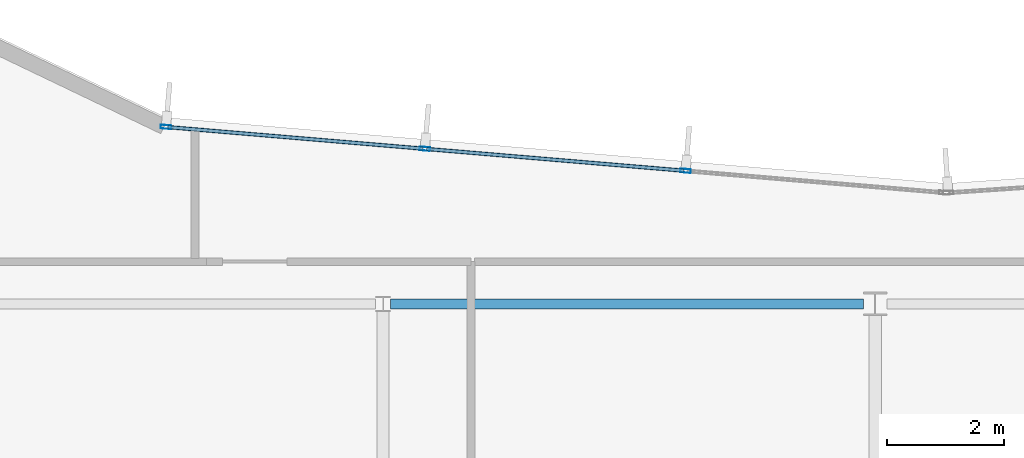
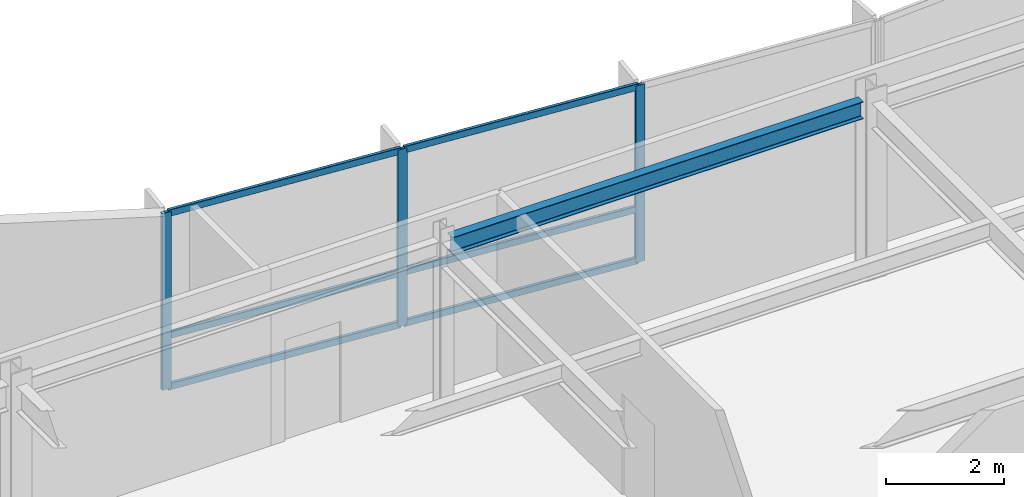
# One storey, part 5 of 15: 9 members, 1 beam, 1 element without a shape of its own.
"""IFC4 building model written with IfcOpenShell, lengths in metres."""

from ifc_helpers import new_model, si_unit, direction, frame, origin, origin_2d, place, context, subcontext, project, spatial, hollow_rectangle, i_section, extrude, material, layer, layer_set, material_profile, profile_set, type_object, element, aggregate, save


model = new_model("IFC4")

# Units and contexts
model_context = context("Model", 3, precision=1e-05, world=origin(), true_north=direction((0.0, 1.0)))
body_context = subcontext(model_context, "Body", "Model", "MODEL_VIEW")
ifc_project = project(units=[si_unit("LENGTHUNIT", "METRE"), si_unit("AREAUNIT", "SQUARE_METRE"), si_unit("VOLUMEUNIT", "CUBIC_METRE"), si_unit("PLANEANGLEUNIT", "RADIAN"), si_unit("MASSUNIT", "GRAM", prefix="KILO")], contexts=[model_context])

# Site, building, storey
site_placement = place(None, origin())
site = spatial("IfcSite", under=ifc_project, at=site_placement, CompositionType="ELEMENT")
building_placement = place(site_placement, origin())
building = spatial("IfcBuilding", under=site, at=building_placement, Name="Varnakote Quay Hospital", CompositionType="ELEMENT")
storey_placement = place(building_placement, frame((0.0, 0.0, 231.60009765625)))
storey = spatial("IfcBuildingStorey", under=building, at=storey_placement, Name="L57", CompositionType="ELEMENT", Elevation=231.60009765625)

# Curtain wall, members
ifc_material_1 = material(Name="Anodised aluminium 6063-T6 Bronze", Category="aluminium")
ifc_layer = layer(ifc_material_1, 0.219970703125)
ifc_layer_set = layer_set([ifc_layer], Name="Anodised aluminium 6063-T6 Bronze")
curtain_wall_type = type_object("IfcCurtainWallType", Name="CW-SYS-4", PredefinedType="NOTDEFINED", material=ifc_layer_set)
curtain_wall_placement = place(storey_placement, origin())
curtain_wall = element("IfcCurtainWall", 1, at=curtain_wall_placement, inside=storey, type_object=curtain_wall_type, Name="L57 Unitised Bronze Curtain Wall 2", PredefinedType="NOTDEFINED")
ifc_material_2 = material(Name="Anodised aluminium 6063-T6 Bronze", Category="aluminium")
ifc_material_profile_1 = material_profile(ifc_material_2, hollow_rectangle(XDim=0.06494140625, YDim=0.179931640625, WallThickness=0.00390625, InnerFilletRadius=0.00390625, OuterFilletRadius=0.008056640625, at=origin_2d()), Name="CW-MULL-180x65")
ifc_profile_set_1 = profile_set([ifc_material_profile_1], Name="Anodised aluminium 6063-T6 Bronze")
member_type_1 = type_object("IfcMemberType", Name="CW-MULL-180x65", PredefinedType="MULLION", material=ifc_profile_set_1)
member_1_placement = place(storey_placement, frame((30.363525390625, 31.0712890625, 0.0), z_axis=(0.0, 0.0, 1.0), x_axis=(-0.084136040089, -0.996454277304, 0.0)))
member_1 = element("IfcMember", 2, at=member_1_placement, type_object=member_type_1, Name="-4-L57-2 mullion 2", PredefinedType="MULLION", context=body_context, shape_type="SweptSolid", body=[
    extrude(hollow_rectangle(XDim=0.06494140625, YDim=0.179931640625, WallThickness=0.00390625, InnerFilletRadius=0.00390625, OuterFilletRadius=0.008056640625, at=origin_2d()), origin(), (0.0, 0.0, 1.0), 3.669921875),
])
member_2_placement = place(storey_placement, frame((25.912353515625, 31.447265625, 0.0), z_axis=(0.0, 0.0, 1.0), x_axis=(-0.084136040089, -0.996454277304, 0.0)))
member_2 = element("IfcMember", 3, at=member_2_placement, type_object=member_type_1, Name="-4-L57-2 mullion 3", PredefinedType="MULLION", context=body_context, shape_type="SweptSolid", body=[
    extrude(hollow_rectangle(XDim=0.06494140625, YDim=0.179931640625, WallThickness=0.00390625, InnerFilletRadius=0.00390625, OuterFilletRadius=0.008056640625, at=origin_2d()), origin(), (0.0, 0.0, 1.0), 3.669921875),
])
member_3_placement = place(storey_placement, frame((21.49365234375, 31.8203125, 0.0), z_axis=(0.0, 0.0, 1.0), x_axis=(-0.084136040089, -0.996454277304, 0.0)))
member_3 = element("IfcMember", 4, at=member_3_placement, type_object=member_type_1, Name="-4-L57-2 mullion 4", PredefinedType="MULLION", context=body_context, shape_type="SweptSolid", body=[
    extrude(hollow_rectangle(XDim=0.06494140625, YDim=0.179931640625, WallThickness=0.00390625, InnerFilletRadius=0.00390625, OuterFilletRadius=0.008056640625, at=origin_2d()), origin(), (0.0, 0.0, 1.0), 3.669921875),
])
ifc_material_3 = material(Name="Anodised aluminium 6063-T6 Bronze", Category="aluminium")
ifc_material_profile_2 = material_profile(ifc_material_3, hollow_rectangle(XDim=0.06494140625, YDim=0.139892578125, WallThickness=0.00390625, InnerFilletRadius=0.00390625, OuterFilletRadius=0.007568359375, at=origin_2d()), Name="CW-TRAN-140x65")
ifc_profile_set_2 = profile_set([ifc_material_profile_2], Name="Anodised aluminium 6063-T6 Bronze")
member_type_2 = type_object("IfcMemberType", Name="CW-TRAN-140x65", PredefinedType="USERDEFINED", material=ifc_profile_set_2)
member_4_placement = place(storey_placement, frame((30.331298828125, 31.073974609375, 0.032470703125), z_axis=(-0.996454515714, 0.084133216471, 0.0), x_axis=(-0.084133216471, -0.996454515714, 0.0)))
member_4 = element("IfcMember", 5, at=member_4_placement, type_object=member_type_2, Name="-4-L57-2 transom 2.1", ObjectType="TRANSOM", PredefinedType="USERDEFINED", context=body_context, shape_type="SweptSolid", body=[
    extrude(hollow_rectangle(XDim=0.06494140625, YDim=0.139892578125, WallThickness=0.00390625, InnerFilletRadius=0.00390625, OuterFilletRadius=0.007568359375, at=origin_2d()), origin(), (0.0, 0.0, 1.0), 4.402099609375),
])
member_5_placement = place(storey_placement, frame((30.331298828125, 31.073974609375, 1.099853515625), z_axis=(-0.996454515714, 0.084133216471, 0.0), x_axis=(-0.084133216471, -0.996454515714, 0.0)))
member_5 = element("IfcMember", 6, at=member_5_placement, type_object=member_type_2, Name="-4-L57-2 transom 2.2", ObjectType="TRANSOM", PredefinedType="USERDEFINED", context=body_context, shape_type="SweptSolid", body=[
    extrude(hollow_rectangle(XDim=0.06494140625, YDim=0.139892578125, WallThickness=0.00390625, InnerFilletRadius=0.00390625, OuterFilletRadius=0.007568359375, at=origin_2d()), origin(), (0.0, 0.0, 1.0), 4.402099609375),
])
member_6_placement = place(storey_placement, frame((30.331298828125, 31.073974609375, 3.637451171875), z_axis=(-0.996454515714, 0.084133216471, 0.0), x_axis=(-0.084133216471, -0.996454515714, 0.0)))
member_6 = element("IfcMember", 7, at=member_6_placement, type_object=member_type_2, Name="-4-L57-2 transom 2.3", ObjectType="TRANSOM", PredefinedType="USERDEFINED", context=body_context, shape_type="SweptSolid", body=[
    extrude(hollow_rectangle(XDim=0.06494140625, YDim=0.139892578125, WallThickness=0.00390625, InnerFilletRadius=0.00390625, OuterFilletRadius=0.007568359375, at=origin_2d()), origin(), (0.0, 0.0, 1.0), 4.402099609375),
])
member_7_placement = place(storey_placement, frame((25.880126953125, 31.449951171875, 0.032470703125), z_axis=(-0.996453440464, 0.084145950507, 0.0), x_axis=(-0.084145950507, -0.996453440464, 0.0)))
member_7 = element("IfcMember", 8, at=member_7_placement, type_object=member_type_2, Name="-4-L57-2 transom 3.1", ObjectType="TRANSOM", PredefinedType="USERDEFINED", context=body_context, shape_type="SweptSolid", body=[
    extrude(hollow_rectangle(XDim=0.06494140625, YDim=0.139892578125, WallThickness=0.00390625, InnerFilletRadius=0.00390625, OuterFilletRadius=0.007568359375, at=origin_2d()), origin(), (0.0, 0.0, 1.0), 4.369384765625),
])
member_8_placement = place(storey_placement, frame((25.880126953125, 31.449951171875, 1.099853515625), z_axis=(-0.996453440464, 0.084145950507, 0.0), x_axis=(-0.084145950507, -0.996453440464, 0.0)))
member_8 = element("IfcMember", 9, at=member_8_placement, type_object=member_type_2, Name="-4-L57-2 transom 3.2", ObjectType="TRANSOM", PredefinedType="USERDEFINED", context=body_context, shape_type="SweptSolid", body=[
    extrude(hollow_rectangle(XDim=0.06494140625, YDim=0.139892578125, WallThickness=0.00390625, InnerFilletRadius=0.00390625, OuterFilletRadius=0.007568359375, at=origin_2d()), origin(), (0.0, 0.0, 1.0), 4.369384765625),
])
member_9_placement = place(storey_placement, frame((25.880126953125, 31.449951171875, 3.637451171875), z_axis=(-0.996453440464, 0.084145950507, 0.0), x_axis=(-0.084145950507, -0.996453440464, 0.0)))
member_9 = element("IfcMember", 10, at=member_9_placement, type_object=member_type_2, Name="-4-L57-2 transom 3.3", ObjectType="TRANSOM", PredefinedType="USERDEFINED", context=body_context, shape_type="SweptSolid", body=[
    extrude(hollow_rectangle(XDim=0.06494140625, YDim=0.139892578125, WallThickness=0.00390625, InnerFilletRadius=0.00390625, OuterFilletRadius=0.007568359375, at=origin_2d()), origin(), (0.0, 0.0, 1.0), 4.369384765625),
])
aggregate(curtain_wall, [member_1, member_2, member_3, member_4, member_5, member_6, member_7, member_8, member_9])

# Beam
ifc_material_4 = material(Name="Structural steel AS/NZS 3679.1 Grade 350 L0 (fy 340 MPa)", Category="steel")
ifc_material_profile_3 = material_profile(ifc_material_4, i_section(OverallWidth=0.172119140625, OverallDepth=0.35888671875, WebThickness=0.008056640625, FlangeThickness=0.012939453125, FilletRadius=0.011474609375, at=origin_2d()), Name="360UB56.7")
ifc_profile_set_3 = profile_set([ifc_material_profile_3], Name="Structural steel AS/NZS 3679.1 Grade 350 L0 (fy 340 MPa)")
beam_type = type_object("IfcBeamType", Name="SPN-STL-360UB56-7", PredefinedType="SPANDREL", material=ifc_profile_set_3)
beam_placement = place(storey_placement, frame((25.327880859375, 28.800048828125, 3.490478515625), z_axis=(1.0, 0.0, 0.0), x_axis=(0.0, 1.0, 0.0)))
element("IfcBeam", 11, at=beam_placement, inside=storey, type_object=beam_type, Name="L57 Perimeter Spandrel Beam", PredefinedType="SPANDREL", context=body_context, shape_type="SweptSolid", body=[
    extrude(i_section(OverallWidth=0.172119140625, OverallDepth=0.35888671875, WebThickness=0.008056640625, FlangeThickness=0.012939453125, FilletRadius=0.011474609375, at=origin_2d()), origin(), (0.0, 0.0, 1.0), 8.072021484375),
])

save(model, "model.ifc")
